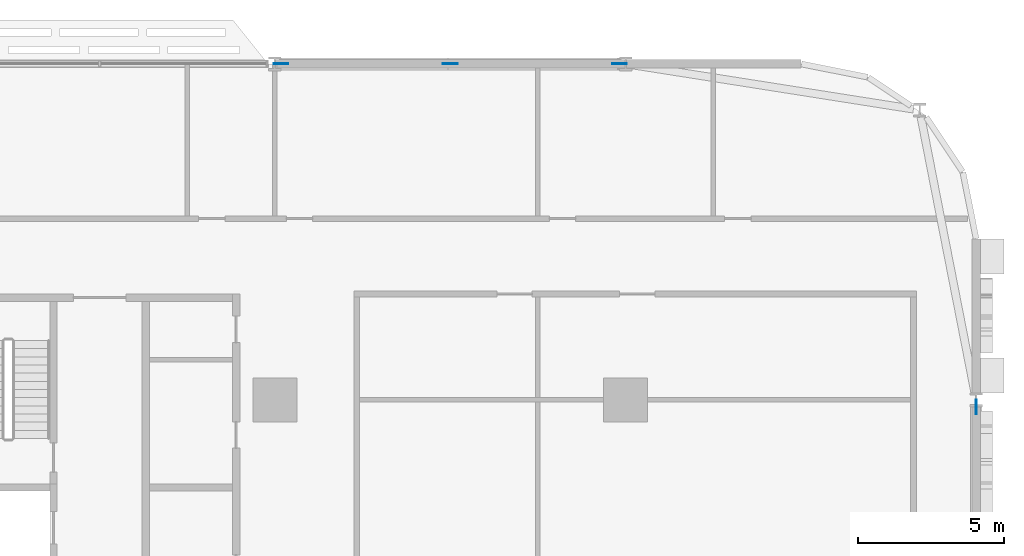
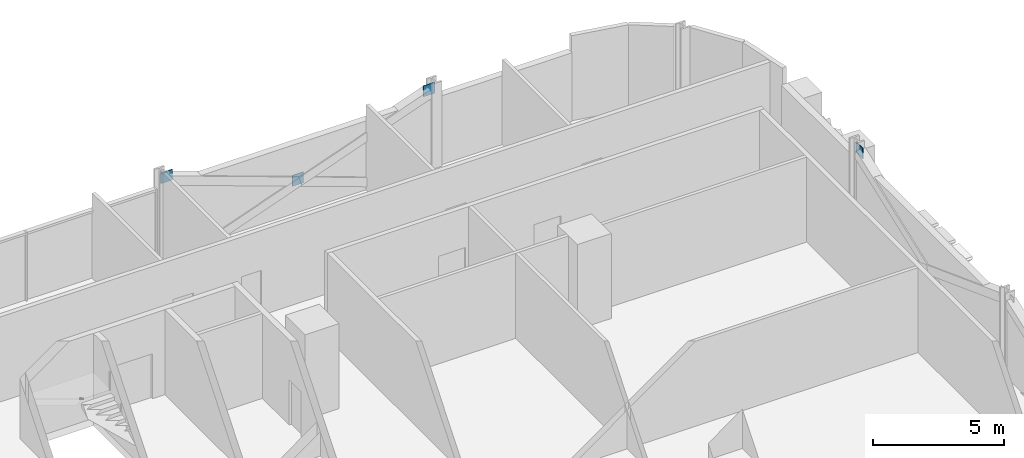
# One storey, part 24 of 30: 4 discrete accessories.
"""IFC4 building model written with IfcOpenShell, lengths in metres."""

from ifc_helpers import new_model, si_unit, direction, frame, origin, origin_2d, place, context, subcontext, project, spatial, rectangle, extrude, material, layer, layer_set, type_object, element, save


model = new_model("IFC4")

# Units and contexts
model_context = context("Model", 3, precision=1e-05, world=origin(), true_north=direction((0.0, 1.0)))
body_context = subcontext(model_context, "Body", "Model", "MODEL_VIEW")
ifc_project = project(units=[si_unit("LENGTHUNIT", "METRE"), si_unit("AREAUNIT", "SQUARE_METRE"), si_unit("VOLUMEUNIT", "CUBIC_METRE"), si_unit("PLANEANGLEUNIT", "RADIAN"), si_unit("MASSUNIT", "GRAM", prefix="KILO")], contexts=[model_context])

# Site, building, storey
site_placement = place(None, origin())
site = spatial("IfcSite", under=ifc_project, at=site_placement, CompositionType="ELEMENT")
building_placement = place(site_placement, origin())
building = spatial("IfcBuilding", under=site, at=building_placement, Name="Mahtab Terrace Research Tower", CompositionType="ELEMENT")
storey_placement = place(building_placement, frame((0.0, 0.0, 50.300048828125)))
storey = spatial("IfcBuildingStorey", under=building, at=storey_placement, Name="L11", CompositionType="ELEMENT", Elevation=50.300048828125)

# Discrete accessories
ifc_material = material(Name="Steel ASTM A992 Gr 50", Category="steel")
ifc_layer = layer(ifc_material, 0.030029296875)
ifc_layer_set = layer_set([ifc_layer], Name="Gusset plate 500x500x30")
discrete_accessory_type = type_object("IfcDiscreteAccessoryType", Name="Gusset plate 500x500x30", PredefinedType="USERDEFINED", material=ifc_layer_set)
for number, where, z_axis, x_axis, name in (
    (1, (30.212158203125, 23.0, 3.33154296875), (0.0, 0.0, 1.0), (1.0, 0.0, 0.0), "Gusset plate"),
    (2, (36.0, 23.0, 1.181396484375), (0.0, 0.0, 1.0), (1.0, 0.0, 0.0), "Gusset plate"),
    (3, (41.787841796875, 23.0, 3.33154296875), (0.0, 0.0, 1.0), (1.0, 0.0, 0.0), "Gusset plate"),
    (4, (54.0, 11.262451171875, 3.33154296875), (0.0, 0.0, 1.0), (0.0, 1.0, 0.0), "Gusset plate"),
):
    element("IfcDiscreteAccessory", number, at=place(storey_placement, frame(where, z_axis=z_axis, x_axis=x_axis)), inside=storey, type_object=discrete_accessory_type, Name=name, ObjectType="GUSSET PLATE", PredefinedType="USERDEFINED", context=body_context, shape_type="SweptSolid", body=[
        extrude(rectangle(XDim=0.5, YDim=0.030029296875, at=origin_2d()), origin(), (0.0, 0.0, 1.0), 0.5),
    ])

save(model, "model.ifc")
